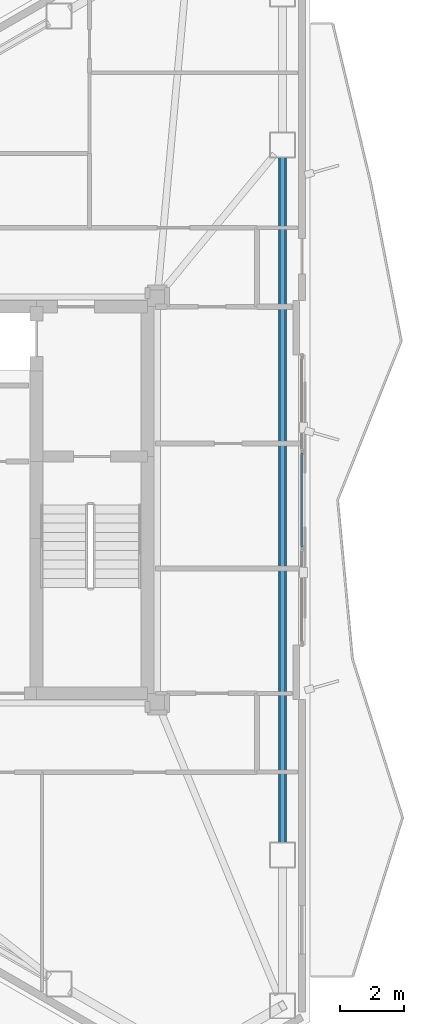
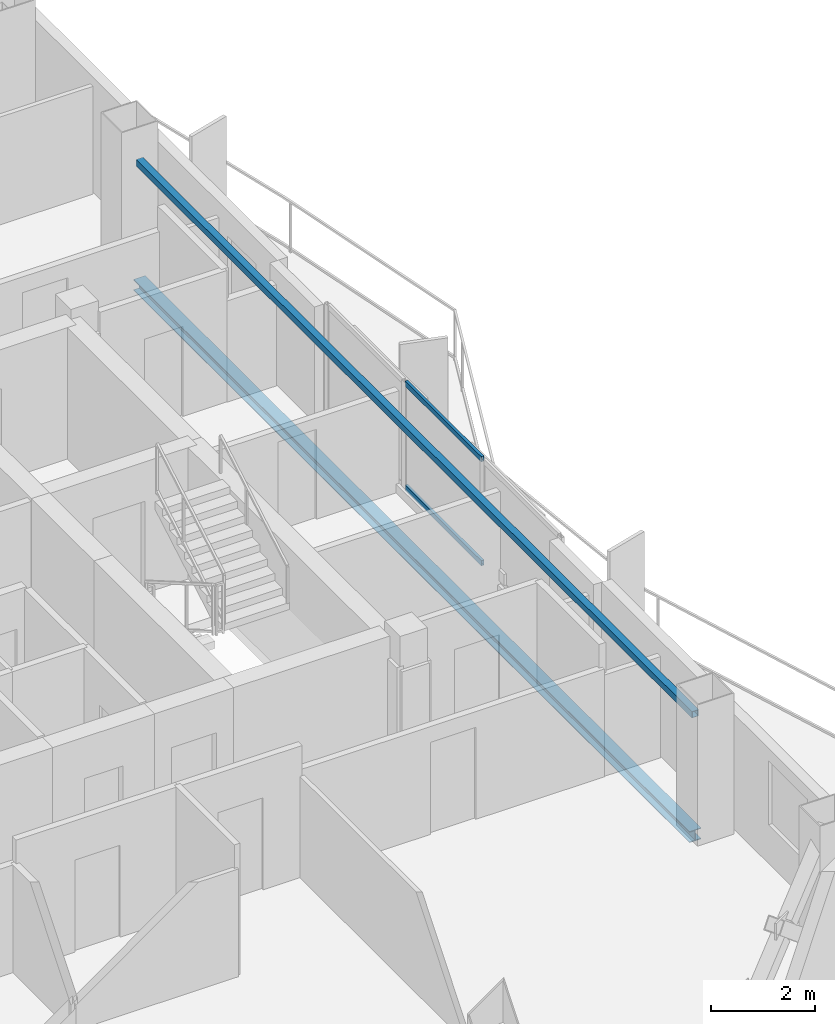
# One storey, part 12 of 21: 2 beams, 2 members, 1 element without a shape of its own.
"""IFC4 building model written with IfcOpenShell, lengths in metres."""

from ifc_helpers import new_model, si_unit, direction, frame, origin, origin_2d, place, context, subcontext, project, spatial, hollow_rectangle, i_section, extrude, material, layer, layer_set, material_profile, profile_set, type_object, element, aggregate, save


model = new_model("IFC4")

# Units and contexts
model_context = context("Model", 3, precision=1e-05, world=origin(), true_north=direction((0.0, 1.0)))
body_context = subcontext(model_context, "Body", "Model", "MODEL_VIEW")
ifc_project = project(units=[si_unit("LENGTHUNIT", "METRE"), si_unit("AREAUNIT", "SQUARE_METRE"), si_unit("VOLUMEUNIT", "CUBIC_METRE"), si_unit("PLANEANGLEUNIT", "RADIAN"), si_unit("MASSUNIT", "GRAM", prefix="KILO")], contexts=[model_context])

# Site, building, storey
site_placement = place(None, origin())
site = spatial("IfcSite", under=ifc_project, at=site_placement, CompositionType="ELEMENT")
building_placement = place(site_placement, origin())
building = spatial("IfcBuilding", under=site, at=building_placement, Name="Mersakhor Tower and Convention Hall", CompositionType="ELEMENT")
storey_placement = place(building_placement, frame((0.0, 0.0, 211.800048828125)))
storey = spatial("IfcBuildingStorey", under=building, at=storey_placement, Name="L59", CompositionType="ELEMENT", Elevation=211.800048828125)

# Beams
ifc_material_1 = material(Name="Steel S355", Category="steel")
ifc_material_profile_1 = material_profile(ifc_material_1, hollow_rectangle(XDim=0.14990234375, YDim=0.14990234375, WallThickness=0.010009765625, at=origin_2d()), Name="SHS 150x150x10")
ifc_profile_set_1 = profile_set([ifc_material_profile_1], Name="Steel S355")
beam_type_1 = type_object("IfcBeamType", Name="BM-GRT-SHS150", PredefinedType="USERDEFINED", material=ifc_profile_set_1)
beam_1_placement = place(storey_placement, frame((39.98828125, 37.392822265625, 2.47998046875), z_axis=(0.0, -1.0, 0.0), x_axis=(1.0, 0.0, 0.0)))
element("IfcBeam", 1, at=beam_1_placement, inside=storey, type_object=beam_type_1, Name="L59 Facade Support Girt GRT-F2", ObjectType="GIRT", PredefinedType="USERDEFINED", context=body_context, shape_type="SweptSolid", body=[
    extrude(hollow_rectangle(XDim=0.14990234375, YDim=0.14990234375, WallThickness=0.010009765625, at=origin_2d()), origin(), (0.0, 0.0, 1.0), 21.28564453125),
])
ifc_material_2 = material(Name="Steel S355", Category="steel")
ifc_material_profile_2 = material_profile(ifc_material_2, i_section(OverallWidth=0.25634765625, OverallDepth=0.26025390625, WebThickness=0.01025390625, FlangeThickness=0.017333984375, at=origin_2d()), Name="UC 254x254x89")
ifc_profile_set_2 = profile_set([ifc_material_profile_2], Name="Steel S355")
beam_type_2 = type_object("IfcBeamType", Name="BM-SPD-UC254", PredefinedType="SPANDREL", material=ifc_profile_set_2)
beam_2_placement = place(storey_placement, frame((39.98828125, 37.392822265625, -0.360107421875), z_axis=(0.0, -1.0, 0.0), x_axis=(1.0, 0.0, 0.0)))
element("IfcBeam", 2, at=beam_2_placement, inside=storey, type_object=beam_type_2, Name="L59 Perimeter Spandrel Beam SPB-06", PredefinedType="SPANDREL", context=body_context, shape_type="SweptSolid", body=[
    extrude(i_section(OverallWidth=0.25634765625, OverallDepth=0.26025390625, WebThickness=0.01025390625, FlangeThickness=0.017333984375, at=origin_2d()), origin(), (0.0, 0.0, 1.0), 21.28564453125),
])

# Curtain wall, members
ifc_material_3 = material(Name="Dark solar low-E aluminium curtain wall", Category="aluminium")
ifc_layer = layer(ifc_material_3, 0.169921875)
ifc_layer_set = layer_set([ifc_layer], Name="Dark solar low-E aluminium curtain wall")
curtain_wall_type = type_object("IfcCurtainWallType", Name="CW-SYS-02", PredefinedType="USERDEFINED", material=ifc_layer_set)
curtain_wall_placement = place(storey_placement, origin())
curtain_wall = element("IfcCurtainWall", 3, at=curtain_wall_placement, inside=storey, type_object=curtain_wall_type, Name="L59 Dark-Glass Curtain Wall F2-B2", ObjectType="CURTAIN WALL", PredefinedType="USERDEFINED")
ifc_material_4 = material(Name="Anodised aluminium EN AW-6063 T6", Category="aluminium")
ifc_material_profile_3 = material_profile(ifc_material_4, hollow_rectangle(XDim=0.06005859375, YDim=0.1201171875, WallThickness=0.0048828125, at=origin_2d()), Name="RHS 120x60x5")
ifc_profile_set_3 = profile_set([ifc_material_profile_3], Name="Anodised aluminium EN AW-6063 T6")
member_type = type_object("IfcMemberType", Name="CWT-120x60", PredefinedType="USERDEFINED", material=ifc_profile_set_3)
member_1_placement = place(storey_placement, frame((40.58837890625, 28.21240234375, 0.22998046875), z_axis=(0.0, -1.0, 0.0), x_axis=(1.0, 0.0, 0.0)))
member_1 = element("IfcMember", 4, at=member_1_placement, type_object=member_type, Name="CW-02 transom 2.1", ObjectType="TRANSOM", PredefinedType="USERDEFINED", context=body_context, shape_type="SweptSolid", body=[
    extrude(hollow_rectangle(XDim=0.06005859375, YDim=0.1201171875, WallThickness=0.0048828125, at=origin_2d()), origin(), (0.0, 0.0, 1.0), 2.9248046875),
])
member_2_placement = place(storey_placement, frame((40.58837890625, 28.21240234375, 2.659912109375), z_axis=(0.0, -1.0, 0.0), x_axis=(1.0, 0.0, 0.0)))
member_2 = element("IfcMember", 5, at=member_2_placement, type_object=member_type, Name="CW-02 transom 2.2", ObjectType="TRANSOM", PredefinedType="USERDEFINED", context=body_context, shape_type="SweptSolid", body=[
    extrude(hollow_rectangle(XDim=0.06005859375, YDim=0.1201171875, WallThickness=0.0048828125, at=origin_2d()), origin(), (0.0, 0.0, 1.0), 2.9248046875),
])
aggregate(curtain_wall, [member_1, member_2])

save(model, "model.ifc")
